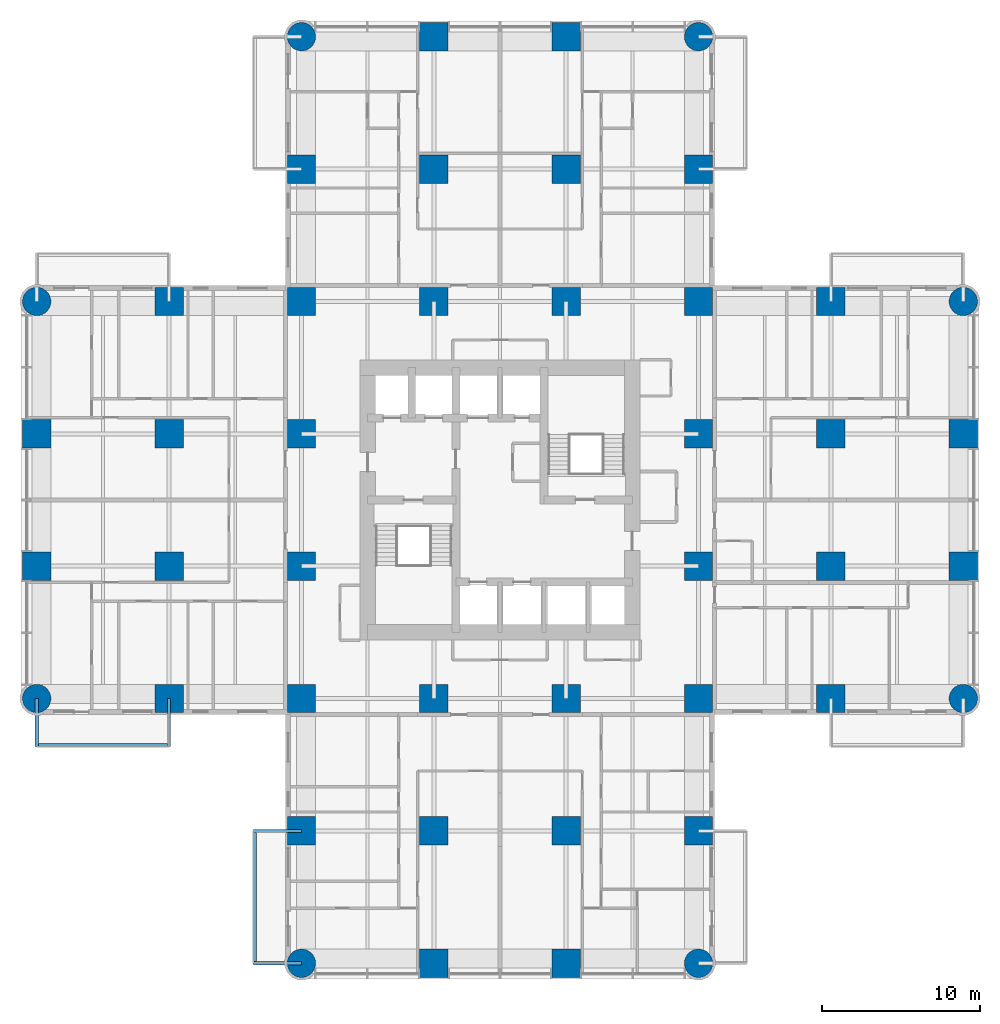
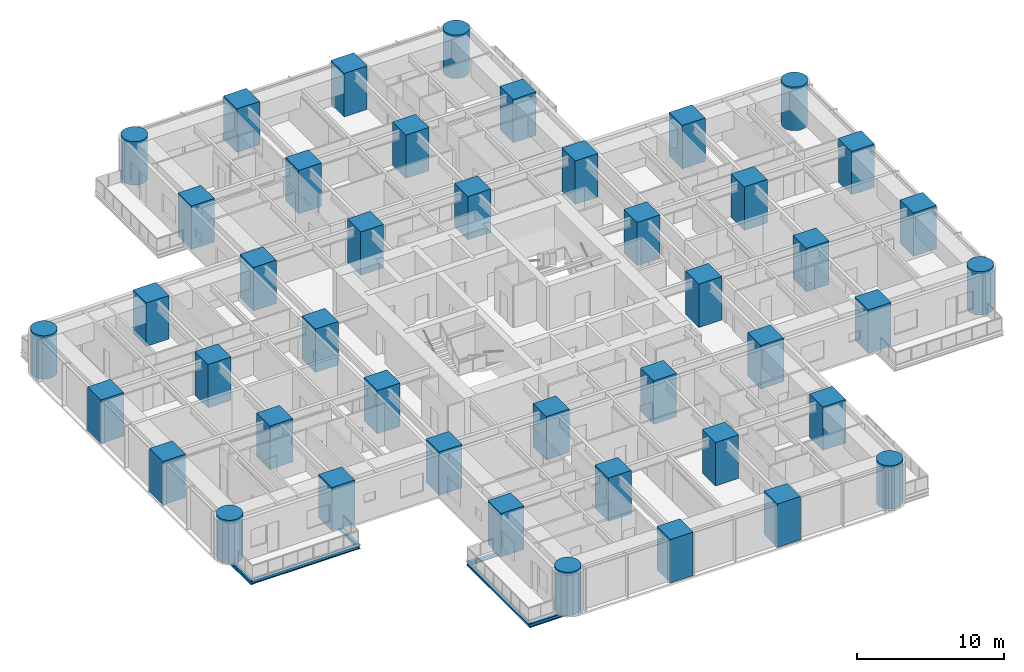
# One storey, part 1 of 17: 44 columns, 6 beams.
"""IFC4 building model written with IfcOpenShell, lengths in metres."""

from ifc_helpers import new_model, si_unit, direction, frame, origin, origin_2d, place, context, subcontext, project, spatial, rectangle, circle, i_section, extrude, material, material_profile, profile_set, type_object, element, save


model = new_model("IFC4")

# Units and contexts
model_context = context("Model", 3, precision=1e-05, world=origin(), true_north=direction((0.0, 1.0)))
body_context = subcontext(model_context, "Body", "Model", "MODEL_VIEW")
ifc_project = project(units=[si_unit("LENGTHUNIT", "METRE"), si_unit("AREAUNIT", "SQUARE_METRE"), si_unit("VOLUMEUNIT", "CUBIC_METRE"), si_unit("PLANEANGLEUNIT", "RADIAN"), si_unit("MASSUNIT", "GRAM", prefix="KILO")], contexts=[model_context])

# Site, building, storey
site_placement = place(None, origin())
site = spatial("IfcSite", under=ifc_project, at=site_placement, CompositionType="ELEMENT")
building_placement = place(site_placement, origin())
building = spatial("IfcBuilding", under=site, at=building_placement, Name="Torre Alcanfor", CompositionType="ELEMENT")
storey_placement = place(building_placement, frame((0.0, 0.0, 59.699951171875)))
storey = spatial("IfcBuildingStorey", under=building, at=storey_placement, Name="L14", CompositionType="ELEMENT", Elevation=59.699951171875)

# Columns
ifc_material_1 = material(Name="Concrete f'c 70 MPa", Category="concrete")
ifc_material_profile_1 = material_profile(ifc_material_1, rectangle(XDim=1.800048828125, YDim=1.800048828125, at=origin_2d()), Name="1800x1800")
ifc_profile_set_1 = profile_set([ifc_material_profile_1], Name="Concrete f'c 70 MPa")
column_type_1 = type_object("IfcColumnType", Name="RC column 1800x1800 f'c70", PredefinedType="COLUMN", material=ifc_profile_set_1)
for number, where, z_axis, x_axis, name in (
    (1, (0.0, 25.199951171875, 0.0), (0.0, 0.0, 1.0), (1.0, 0.0, 0.0), "Column 1/F L14"),
    (2, (0.0, 33.60009765625, 0.0), (0.0, 0.0, 1.0), (1.0, 0.0, 0.0), "Column 1/G L14"),
    (3, (8.39990234375, 16.800048828125, 0.0), (0.0, 0.0, 1.0), (1.0, 0.0, 0.0), "Column 2/E L14"),
    (4, (8.39990234375, 25.199951171875, 0.0), (0.0, 0.0, 1.0), (1.0, 0.0, 0.0), "Column 2/F L14"),
    (5, (8.39990234375, 33.60009765625, 0.0), (0.0, 0.0, 1.0), (1.0, 0.0, 0.0), "Column 2/G L14"),
    (6, (8.39990234375, 42.0, 0.0), (0.0, 0.0, 1.0), (1.0, 0.0, 0.0), "Column 2/H L14"),
    (7, (16.800048828125, 8.39990234375, 0.0), (0.0, 0.0, 1.0), (1.0, 0.0, 0.0), "Column 3/D L14"),
    (8, (16.800048828125, 16.800048828125, 0.0), (0.0, 0.0, 1.0), (1.0, 0.0, 0.0), "Column 3/E L14"),
    (9, (16.800048828125, 25.199951171875, 0.0), (0.0, 0.0, 1.0), (1.0, 0.0, 0.0), "Column 3/F L14"),
    (10, (16.800048828125, 33.60009765625, 0.0), (0.0, 0.0, 1.0), (1.0, 0.0, 0.0), "Column 3/G L14"),
    (11, (16.800048828125, 42.0, 0.0), (0.0, 0.0, 1.0), (1.0, 0.0, 0.0), "Column 3/H L14"),
    (12, (16.800048828125, 50.39990234375, 0.0), (0.0, 0.0, 1.0), (1.0, 0.0, 0.0), "Column 3/J L14"),
    (13, (25.199951171875, 0.0, 0.0), (0.0, 0.0, 1.0), (1.0, 0.0, 0.0), "Column 4/C L14"),
    (14, (25.199951171875, 8.39990234375, 0.0), (0.0, 0.0, 1.0), (1.0, 0.0, 0.0), "Column 4/D L14"),
    (15, (25.199951171875, 16.800048828125, 0.0), (0.0, 0.0, 1.0), (1.0, 0.0, 0.0), "Column 4/E L14"),
    (16, (25.199951171875, 42.0, 0.0), (0.0, 0.0, 1.0), (1.0, 0.0, 0.0), "Column 4/H L14"),
    (17, (25.199951171875, 50.39990234375, 0.0), (0.0, 0.0, 1.0), (1.0, 0.0, 0.0), "Column 4/J L14"),
    (18, (25.199951171875, 58.800048828125, 0.0), (0.0, 0.0, 1.0), (1.0, 0.0, 0.0), "Column 4/K L14"),
    (19, (33.60009765625, 0.0, 0.0), (0.0, 0.0, 1.0), (1.0, 0.0, 0.0), "Column 5/C L14"),
    (20, (33.60009765625, 8.39990234375, 0.0), (0.0, 0.0, 1.0), (1.0, 0.0, 0.0), "Column 5/D L14"),
    (21, (33.60009765625, 16.800048828125, 0.0), (0.0, 0.0, 1.0), (1.0, 0.0, 0.0), "Column 5/E L14"),
    (22, (33.60009765625, 42.0, 0.0), (0.0, 0.0, 1.0), (1.0, 0.0, 0.0), "Column 5/H L14"),
    (23, (33.60009765625, 50.39990234375, 0.0), (0.0, 0.0, 1.0), (1.0, 0.0, 0.0), "Column 5/J L14"),
    (24, (33.60009765625, 58.800048828125, 0.0), (0.0, 0.0, 1.0), (1.0, 0.0, 0.0), "Column 5/K L14"),
    (25, (42.0, 8.39990234375, 0.0), (0.0, 0.0, 1.0), (1.0, 0.0, 0.0), "Column 6/D L14"),
    (26, (42.0, 16.800048828125, 0.0), (0.0, 0.0, 1.0), (1.0, 0.0, 0.0), "Column 6/E L14"),
    (27, (42.0, 25.199951171875, 0.0), (0.0, 0.0, 1.0), (1.0, 0.0, 0.0), "Column 6/F L14"),
    (28, (42.0, 33.60009765625, 0.0), (0.0, 0.0, 1.0), (1.0, 0.0, 0.0), "Column 6/G L14"),
    (29, (42.0, 42.0, 0.0), (0.0, 0.0, 1.0), (1.0, 0.0, 0.0), "Column 6/H L14"),
    (30, (42.0, 50.39990234375, 0.0), (0.0, 0.0, 1.0), (1.0, 0.0, 0.0), "Column 6/J L14"),
    (31, (50.39990234375, 16.800048828125, 0.0), (0.0, 0.0, 1.0), (1.0, 0.0, 0.0), "Column 7/E L14"),
    (32, (50.39990234375, 25.199951171875, 0.0), (0.0, 0.0, 1.0), (1.0, 0.0, 0.0), "Column 7/F L14"),
    (33, (50.39990234375, 33.60009765625, 0.0), (0.0, 0.0, 1.0), (1.0, 0.0, 0.0), "Column 7/G L14"),
    (34, (50.39990234375, 42.0, 0.0), (0.0, 0.0, 1.0), (1.0, 0.0, 0.0), "Column 7/H L14"),
    (35, (58.800048828125, 25.199951171875, 0.0), (0.0, 0.0, 1.0), (1.0, 0.0, 0.0), "Column 8/F L14"),
    (36, (58.800048828125, 33.60009765625, 0.0), (0.0, 0.0, 1.0), (1.0, 0.0, 0.0), "Column 8/G L14"),
):
    element("IfcColumn", number, at=place(storey_placement, frame(where, z_axis=z_axis, x_axis=x_axis)), inside=storey, type_object=column_type_1, Name=name, PredefinedType="COLUMN", context=body_context, shape_type="SweptSolid", body=[
        extrude(rectangle(XDim=1.800048828125, YDim=1.800048828125, at=origin_2d()), origin(), (0.0, 0.0, 1.0), 3.60009765625),
    ])
ifc_material_2 = material(Name="Concrete f'c 70 MPa", Category="concrete")
ifc_material_profile_2 = material_profile(ifc_material_2, circle(Radius=0.89990234375, at=origin_2d()), Name="D1800")
ifc_profile_set_2 = profile_set([ifc_material_profile_2], Name="Concrete f'c 70 MPa")
column_type_2 = type_object("IfcColumnType", Name="RC column D1800 f'c70", PredefinedType="COLUMN", material=ifc_profile_set_2)
for number, where, z_axis, x_axis, name in (
    (37, (0.0, 16.800048828125, 0.0), (0.0, 0.0, 1.0), (1.0, 0.0, 0.0), "Column 1/E L14"),
    (38, (0.0, 42.0, 0.0), (0.0, 0.0, 1.0), (1.0, 0.0, 0.0), "Column 1/H L14"),
    (39, (16.800048828125, 0.0, 0.0), (0.0, 0.0, 1.0), (1.0, 0.0, 0.0), "Column 3/C L14"),
    (40, (16.800048828125, 58.800048828125, 0.0), (0.0, 0.0, 1.0), (1.0, 0.0, 0.0), "Column 3/K L14"),
    (41, (42.0, 0.0, 0.0), (0.0, 0.0, 1.0), (1.0, 0.0, 0.0), "Column 6/C L14"),
    (42, (42.0, 58.800048828125, 0.0), (0.0, 0.0, 1.0), (1.0, 0.0, 0.0), "Column 6/K L14"),
    (43, (58.800048828125, 16.800048828125, 0.0), (0.0, 0.0, 1.0), (1.0, 0.0, 0.0), "Column 8/E L14"),
    (44, (58.800048828125, 42.0, 0.0), (0.0, 0.0, 1.0), (1.0, 0.0, 0.0), "Column 8/H L14"),
):
    element("IfcColumn", number, at=place(storey_placement, frame(where, z_axis=z_axis, x_axis=x_axis)), inside=storey, type_object=column_type_2, Name=name, PredefinedType="COLUMN", context=body_context, shape_type="SweptSolid", body=[
        extrude(circle(Radius=0.89990234375, at=origin_2d()), origin(), (0.0, 0.0, 1.0), 3.60009765625),
    ])

# Beams
ifc_material_3 = material(Name="Steel ASTM A992 Grade 50", Category="steel")
ifc_material_profile_3 = material_profile(ifc_material_3, i_section(OverallWidth=0.205322265625, OverallDepth=0.309814453125, WebThickness=0.00927734375, FlangeThickness=0.016357421875, at=origin_2d()), Name="W12x50")
ifc_profile_set_3 = profile_set([ifc_material_profile_3], Name="Steel ASTM A992 Grade 50")
beam_type_1 = type_object("IfcBeamType", Name="Balcony cantilever beam W12x50", PredefinedType="BEAM", material=ifc_profile_set_3)
for number, where, z_axis, x_axis, name in (
    (45, (16.800048828125, 8.39990234375, -0.35498046875), (-1.0, 0.0, 0.0), (0.0, -1.0, 0.0), "Balcony cantilever beam L14-S2 1"),
    (46, (16.800048828125, 0.0, -0.35498046875), (-1.0, 0.0, 0.0), (0.0, -1.0, 0.0), "Balcony cantilever beam L14-S2 2"),
    (47, (8.39990234375, 16.800048828125, -0.35498046875), (0.0, -1.0, 0.0), (1.0, 0.0, 0.0), "Balcony cantilever beam L14-W1 1"),
    (48, (0.0, 16.800048828125, -0.35498046875), (0.0, -1.0, 0.0), (1.0, 0.0, 0.0), "Balcony cantilever beam L14-W1 2"),
):
    element("IfcBeam", number, at=place(storey_placement, frame(where, z_axis=z_axis, x_axis=x_axis)), inside=storey, type_object=beam_type_1, Name=name, PredefinedType="BEAM", context=body_context, shape_type="SweptSolid", body=[
        extrude(i_section(OverallWidth=0.205322265625, OverallDepth=0.309814453125, WebThickness=0.00927734375, FlangeThickness=0.016357421875, at=origin_2d()), origin(), (0.0, 0.0, 1.0), 3.050048828125),
    ])
ifc_material_4 = material(Name="Steel ASTM A992 Grade 50", Category="steel")
ifc_material_profile_4 = material_profile(ifc_material_4, i_section(OverallWidth=0.203369140625, OverallDepth=0.30224609375, WebThickness=0.007568359375, FlangeThickness=0.01318359375, at=origin_2d()), Name="W12x40")
ifc_profile_set_4 = profile_set([ifc_material_profile_4], Name="Steel ASTM A992 Grade 50")
beam_type_2 = type_object("IfcBeamType", Name="Balcony edge trimmer W12x40", PredefinedType="BEAM", material=ifc_profile_set_4)
for number, where, z_axis, x_axis, name in (
    (49, (13.851806640625, 8.39990234375, -0.35107421875), (0.0, -1.0, 0.0), (1.0, 0.0, 0.0), "Balcony edge trimmer L14-S2"),
    (50, (8.39990234375, 13.851806640625, -0.35107421875), (-1.0, 0.0, 0.0), (0.0, -1.0, 0.0), "Balcony edge trimmer L14-W1"),
):
    element("IfcBeam", number, at=place(storey_placement, frame(where, z_axis=z_axis, x_axis=x_axis)), inside=storey, type_object=beam_type_2, Name=name, PredefinedType="BEAM", context=body_context, shape_type="SweptSolid", body=[
        extrude(i_section(OverallWidth=0.203369140625, OverallDepth=0.30224609375, WebThickness=0.007568359375, FlangeThickness=0.01318359375, at=origin_2d()), origin(), (0.0, 0.0, 1.0), 8.39990234375),
    ])

save(model, "model.ifc")
